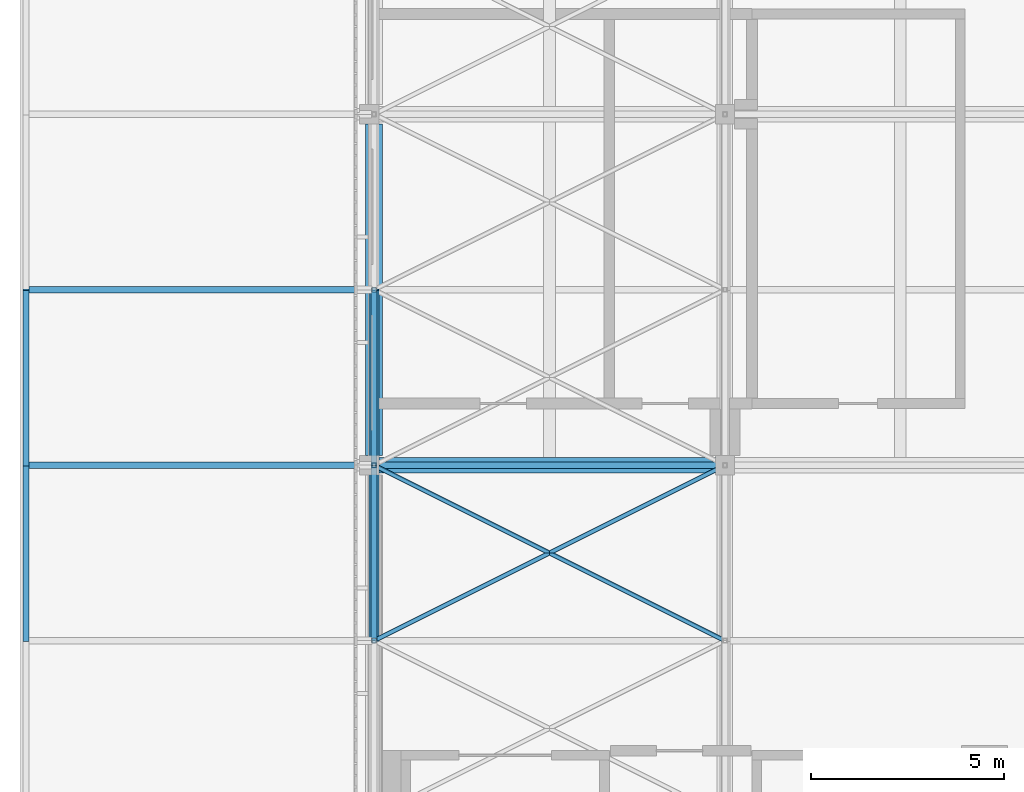
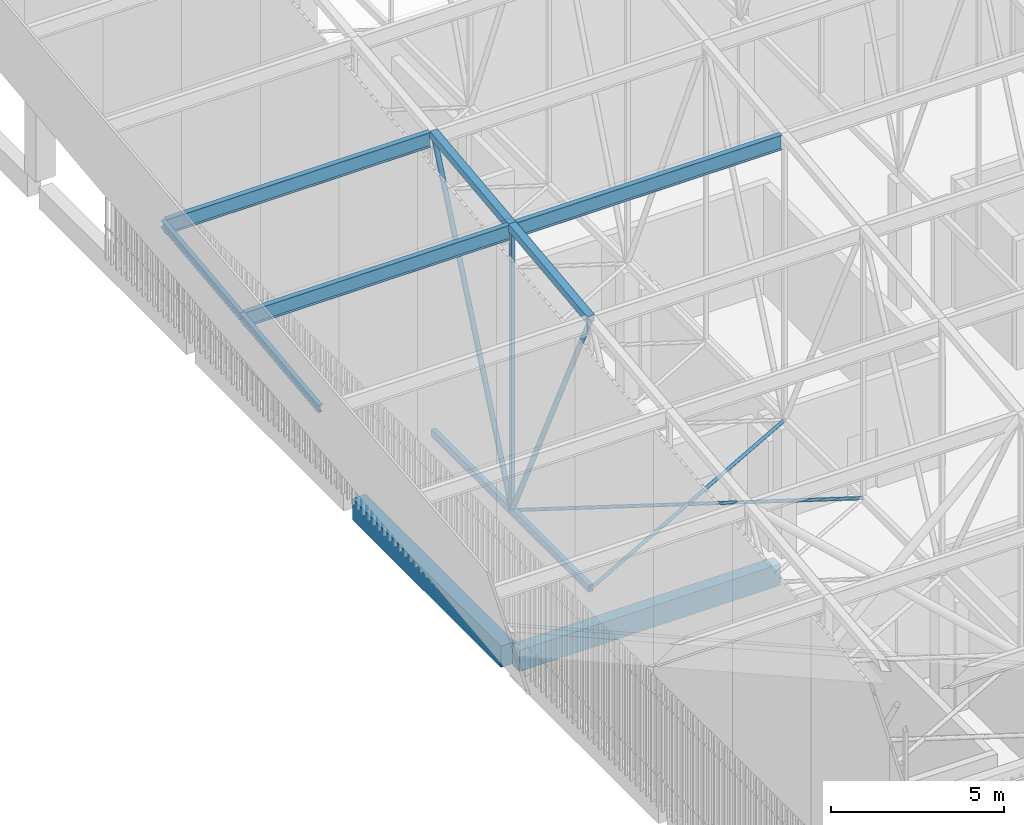
# One storey, part 15 of 500: 14 members, 2 beams.
"""IFC4 building model written with IfcOpenShell, lengths in metres."""

from ifc_helpers import new_model, si_unit, direction, frame, origin, origin_2d, place, context, subcontext, project, spatial, rectangle, hollow_rectangle, hollow_circle, i_section, extrude, material, material_profile, profile_set, type_object, element, save


model = new_model("IFC4")

# Units and contexts
model_context = context("Model", 3, precision=1e-05, world=origin(), true_north=direction((0.0, 1.0)))
body_context = subcontext(model_context, "Body", "Model", "MODEL_VIEW")
ifc_project = project(units=[si_unit("LENGTHUNIT", "METRE"), si_unit("AREAUNIT", "SQUARE_METRE"), si_unit("VOLUMEUNIT", "CUBIC_METRE"), si_unit("PLANEANGLEUNIT", "RADIAN"), si_unit("MASSUNIT", "GRAM", prefix="KILO")], contexts=[model_context])

# Site, building, storey
site_placement = place(None, origin())
site = spatial("IfcSite", under=ifc_project, at=site_placement, CompositionType="ELEMENT")
building_placement = place(site_placement, origin())
building = spatial("IfcBuilding", under=site, at=building_placement, Name="Shirokan Park Arena", CompositionType="ELEMENT")
storey_placement = place(building_placement, frame((0.0, 0.0, 29.1201171875)))
storey = spatial("IfcBuildingStorey", under=building, at=storey_placement, Name="L06", CompositionType="ELEMENT", Elevation=29.1201171875)

# Members
ifc_material_1 = material(Name="Steel ASTM A500 Grade C", Category="steel")
ifc_material_profile_1 = material_profile(ifc_material_1, hollow_rectangle(XDim=0.152099609375, YDim=0.25390625, WallThickness=0.009521484375, at=origin_2d()), Name="HSS254X152.4X9.5")
ifc_profile_set_1 = profile_set([ifc_material_profile_1], Name="Steel ASTM A500 Grade C")
member_type_1 = type_object("IfcMemberType", Name="Bottom chord HSS254X152.4X9.5", PredefinedType="CHORD", material=ifc_profile_set_1)
for number, where, z_axis, x_axis, name in (
    (1, (0.0, 13.64990234375, 4.677001953125), (0.0, 1.0, 0.0), (-1.0, 0.0, 0.0), "Truss T01 bottom chord 6"),
    (2, (0.0, 18.199951171875, 4.677001953125), (0.0, 1.0, 0.0), (-1.0, 0.0, 0.0), "Truss T01 bottom chord 7"),
):
    element("IfcMember", number, at=place(storey_placement, frame(where, z_axis=z_axis, x_axis=x_axis)), inside=storey, type_object=member_type_1, Name=name, PredefinedType="CHORD", context=body_context, shape_type="SweptSolid", body=[
        extrude(hollow_rectangle(XDim=0.152099609375, YDim=0.25390625, WallThickness=0.009521484375, at=origin_2d()), origin(), (0.0, 0.0, 1.0), 4.550048828125),
    ])
ifc_material_profile_2 = material_profile(ifc_material_1, hollow_circle(Radius=0.056884765625, WallThickness=0.006103515625, at=origin_2d()), Name="HSS114.3X6")
ifc_profile_set_2 = profile_set([ifc_material_profile_2], Name="Steel ASTM A500 Grade C")
member_type_2 = type_object("IfcMemberType", Name="Plan bracing HSS114.3X6", PredefinedType="BRACE", material=ifc_profile_set_2)
for number, where, z_axis, x_axis, name in (
    (3, (0.0, 13.64990234375, 4.677001953125), (0.894427191, 0.4472135955, 0.0), (-0.4472135955, 0.894427191, 0.0), "Plan bracing bay 1 panel 6 A"),
    (4, (9.10009765625, 13.64990234375, 4.677001953125), (-0.894427191, 0.4472135955, 0.0), (-0.4472135955, -0.894427191, 0.0), "Plan bracing bay 1 panel 6 B"),
):
    element("IfcMember", number, at=place(storey_placement, frame(where, z_axis=z_axis, x_axis=x_axis)), inside=storey, type_object=member_type_2, Name=name, PredefinedType="BRACE", context=body_context, shape_type="SweptSolid", body=[
        extrude(hollow_circle(Radius=0.056884765625, WallThickness=0.006103515625, at=origin_2d()), origin(), (0.0, 0.0, 1.0), 10.17431640625),
    ])
ifc_material_2 = material(Name="Steel ASTM A992", Category="steel")
ifc_material_profile_3 = material_profile(ifc_material_2, i_section(OverallWidth=0.166015625, OverallDepth=0.528076171875, WebThickness=0.009765625, FlangeThickness=0.013671875, at=origin_2d()), Name="W530X74")
ifc_profile_set_3 = profile_set([ifc_material_profile_3], Name="Steel ASTM A992")
member_type_3 = type_object("IfcMemberType", Name="Purlin W530X74", PredefinedType="PURLIN", material=ifc_profile_set_3)
member_1_placement = place(storey_placement, frame((0.126953125, 18.199951171875, 14.56591796875), z_axis=(1.0, 0.0, 0.0), x_axis=(0.0, 1.0, 0.0)))
element("IfcMember", 5, at=member_1_placement, inside=storey, type_object=member_type_3, Name="Purlin 7 bay 1", PredefinedType="PURLIN", context=body_context, shape_type="SweptSolid", body=[
    extrude(i_section(OverallWidth=0.166015625, OverallDepth=0.528076171875, WebThickness=0.009765625, FlangeThickness=0.013671875, at=origin_2d()), origin(), (0.0, 0.0, 1.0), 8.845947265625),
])
for number, where, z_axis, x_axis, name in (
    (6, (-8.951904296875, 18.199951171875, 14.56591796875), (1.0, 0.0, 0.0), (0.0, 1.0, 0.0), "Eave purlin west 7"),
    (7, (-8.951904296875, 22.75, 15.0859375), (1.0, 0.0, 0.0), (0.0, 1.0, 0.0), "Eave purlin west 8"),
):
    element("IfcMember", number, at=place(storey_placement, frame(where, z_axis=z_axis, x_axis=x_axis)), inside=storey, type_object=member_type_3, Name=name, PredefinedType="PURLIN", context=body_context, shape_type="SweptSolid", body=[
        extrude(i_section(OverallWidth=0.166015625, OverallDepth=0.528076171875, WebThickness=0.009765625, FlangeThickness=0.013671875, at=origin_2d()), origin(), (0.0, 0.0, 1.0), 8.824951171875),
    ])

# Beams
ifc_material_3 = material(Name="Concrete C35", Category="concrete")
ifc_material_profile_4 = material_profile(ifc_material_3, rectangle(XDim=0.39990234375, YDim=0.75, at=origin_2d()), Name="400x750")
ifc_profile_set_4 = profile_set([ifc_material_profile_4], Name="Concrete C35")
beam_type_1 = type_object("IfcBeamType", Name="RC girder 400x750", PredefinedType="BEAM", material=ifc_profile_set_4)
beam_1_placement = place(storey_placement, frame((0.125, 18.199951171875, -0.5751953125), z_axis=(1.0, 0.0, 0.0), x_axis=(0.0, 1.0, 0.0)))
element("IfcBeam", 8, at=beam_1_placement, inside=storey, type_object=beam_type_1, Name="Girder 1C-2C L06", PredefinedType="BEAM", context=body_context, shape_type="SweptSolid", body=[
    extrude(rectangle(XDim=0.39990234375, YDim=0.75, at=origin_2d()), origin(), (0.0, 0.0, 1.0), 8.724853515625),
])
ifc_material_profile_5 = material_profile(ifc_material_3, rectangle(XDim=0.449951171875, YDim=0.75, at=origin_2d()), Name="450x750")
ifc_profile_set_5 = profile_set([ifc_material_profile_5], Name="Concrete C35")
beam_type_2 = type_object("IfcBeamType", Name="RC girder 450x750", PredefinedType="BEAM", material=ifc_profile_set_5)
beam_2_placement = place(storey_placement, frame((0.0, 18.4501953125, -0.5751953125), z_axis=(0.0, 1.0, 0.0), x_axis=(-1.0, 0.0, 0.0)))
element("IfcBeam", 9, at=beam_2_placement, inside=storey, type_object=beam_type_2, Name="Girder 1C-1D L06", PredefinedType="BEAM", context=body_context, shape_type="SweptSolid", body=[
    extrude(rectangle(XDim=0.449951171875, YDim=0.75, at=origin_2d()), origin(), (0.0, 0.0, 1.0), 8.599609375),
])

# Members
ifc_material_profile_6 = material_profile(ifc_material_2, i_section(OverallWidth=0.14794921875, OverallDepth=0.26708984375, WebThickness=0.007568359375, FlangeThickness=0.012939453125, at=origin_2d()), Name="W250X44.8")
ifc_profile_set_6 = profile_set([ifc_material_profile_6], Name="Steel ASTM A992")
member_type_4 = type_object("IfcMemberType", Name="Roof edge beam W250X44.8", PredefinedType="USERDEFINED", material=ifc_profile_set_6)
for number, where, z_axis, x_axis, name in (
    (10, (-9.02587890625, 13.64990234375, 14.17626953125), (0.0, 0.993532328996, 0.113549598152), (-1.0, 0.0, 0.0), "Roof edge beam W 6"),
    (11, (-9.02587890625, 18.199951171875, 14.6962890625), (0.0, 0.993532328996, 0.113549598152), (-1.0, 0.0, 0.0), "Roof edge beam W 7"),
):
    element("IfcMember", number, at=place(storey_placement, frame(where, z_axis=z_axis, x_axis=x_axis)), inside=storey, type_object=member_type_4, Name=name, ObjectType="ROOF EDGE BEAM", PredefinedType="USERDEFINED", context=body_context, shape_type="SweptSolid", body=[
        extrude(i_section(OverallWidth=0.14794921875, OverallDepth=0.26708984375, WebThickness=0.007568359375, FlangeThickness=0.012939453125, at=origin_2d()), origin(), (0.0, 0.0, 1.0), 4.57958984375),
    ])
ifc_material_profile_7 = material_profile(ifc_material_1, hollow_rectangle(XDim=0.25390625, YDim=0.25390625, WallThickness=0.009521484375, at=origin_2d()), Name="HSS254X254X9.5")
ifc_profile_set_7 = profile_set([ifc_material_profile_7], Name="Steel ASTM A500 Grade C")
member_type_5 = type_object("IfcMemberType", Name="Top chord HSS254X254X9.5", PredefinedType="CHORD", material=ifc_profile_set_7)
for number, where, z_axis, x_axis, name in (
    (12, (0.0, 13.64990234375, 14.182861328125), (0.0, 0.993532328996, 0.113549598152), (-1.0, 0.0, 0.0), "Truss T01 top chord 6"),
    (13, (0.0, 18.199951171875, 14.702880859375), (0.0, 0.993532328996, 0.113549598152), (-1.0, 0.0, 0.0), "Truss T01 top chord 7"),
):
    element("IfcMember", number, at=place(storey_placement, frame(where, z_axis=z_axis, x_axis=x_axis)), inside=storey, type_object=member_type_5, Name=name, PredefinedType="CHORD", context=body_context, shape_type="SweptSolid", body=[
        extrude(hollow_rectangle(XDim=0.25390625, YDim=0.25390625, WallThickness=0.009521484375, at=origin_2d()), origin(), (0.0, 0.0, 1.0), 4.57958984375),
    ])
ifc_material_profile_8 = material_profile(ifc_material_1, hollow_circle(Radius=0.083984375, WallThickness=0.009521484375, at=origin_2d()), Name="HSS168.3X9.5")
ifc_profile_set_8 = profile_set([ifc_material_profile_8], Name="Steel ASTM A500 Grade C")
member_type_6 = type_object("IfcMemberType", Name="Truss diagonal HSS168.3X9.5", PredefinedType="BRACE", material=ifc_profile_set_8)
member_2_placement = place(storey_placement, frame((0.0, 13.64990234375, 14.182861328125), z_axis=(0.0, 0.431746476626, -0.901994999942), x_axis=(-1.0, 0.0, 0.0)))
element("IfcMember", 14, at=member_2_placement, inside=storey, type_object=member_type_6, Name="Truss T01 diagonal 6", PredefinedType="BRACE", context=body_context, shape_type="SweptSolid", body=[
    extrude(hollow_circle(Radius=0.083984375, WallThickness=0.009521484375, at=origin_2d()), origin(), (0.0, 0.0, 1.0), 10.538818359375),
])
member_3_placement = place(storey_placement, frame((0.0, 18.199951171875, 4.677001953125), z_axis=(0.0, 0.396152605513, 0.918184683572), x_axis=(-1.0, 0.0, 0.0)))
element("IfcMember", 15, at=member_3_placement, inside=storey, type_object=member_type_6, Name="Truss T01 diagonal 7", PredefinedType="BRACE", context=body_context, shape_type="SweptSolid", body=[
    extrude(hollow_circle(Radius=0.083984375, WallThickness=0.009521484375, at=origin_2d()), origin(), (0.0, 0.0, 1.0), 11.485595703125),
])
ifc_material_profile_9 = material_profile(ifc_material_1, hollow_rectangle(XDim=0.126953125, YDim=0.126953125, WallThickness=0.0126953125, at=origin_2d()), Name="HSS127X127X12.7")
ifc_profile_set_9 = profile_set([ifc_material_profile_9], Name="Steel ASTM A500 Grade C")
member_type_7 = type_object("IfcMemberType", Name="Truss post HSS127X127X12.7", PredefinedType="POST", material=ifc_profile_set_9)
member_4_placement = place(storey_placement, frame((0.0, 18.199951171875, 4.677001953125), z_axis=(0.0, 0.0, 1.0), x_axis=(1.0, 0.0, 0.0)))
element("IfcMember", 16, at=member_4_placement, inside=storey, type_object=member_type_7, Name="Truss T01 post 7", PredefinedType="POST", context=body_context, shape_type="SweptSolid", body=[
    extrude(hollow_rectangle(XDim=0.126953125, YDim=0.126953125, WallThickness=0.0126953125, at=origin_2d()), origin(), (0.0, 0.0, 1.0), 10.02587890625),
])

save(model, "model.ifc")
